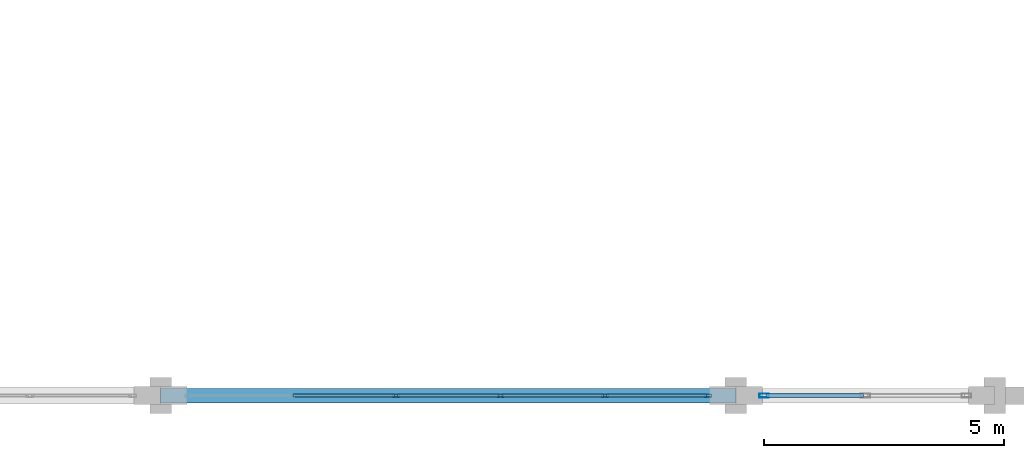
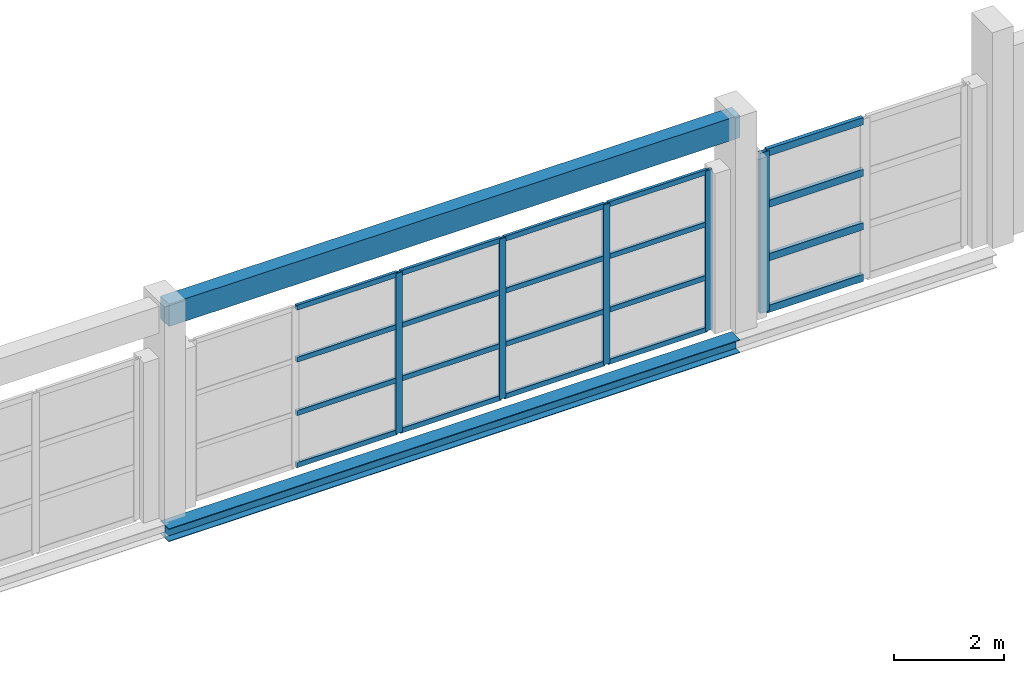
# One storey, part 73 of 147: 25 members, 2 beams, 2 elements without a shape of their own.
"""IFC4 building model written with IfcOpenShell, lengths in metres."""

from ifc_helpers import new_model, si_unit, direction, frame, origin, origin_2d, place, context, subcontext, project, spatial, rectangle, hollow_rectangle, i_section, extrude, material, layer, layer_set, material_profile, profile_set, type_object, element, aggregate, save


model = new_model("IFC4")

# Units and contexts
model_context = context("Model", 3, precision=1e-05, world=origin(), true_north=direction((0.0, 1.0)))
body_context = subcontext(model_context, "Body", "Model", "MODEL_VIEW")
ifc_project = project(units=[si_unit("LENGTHUNIT", "METRE"), si_unit("AREAUNIT", "SQUARE_METRE"), si_unit("VOLUMEUNIT", "CUBIC_METRE"), si_unit("PLANEANGLEUNIT", "RADIAN"), si_unit("MASSUNIT", "GRAM", prefix="KILO")], contexts=[model_context])

# Site, building, storey
site_placement = place(None, origin())
site = spatial("IfcSite", under=ifc_project, at=site_placement, CompositionType="ELEMENT")
building_placement = place(site_placement, origin())
building = spatial("IfcBuilding", under=site, at=building_placement, Name="Zilviju Railside Exhibition Hall", CompositionType="ELEMENT")
storey_placement = place(building_placement, frame((0.0, 0.0, 8.39990234375)))
storey = spatial("IfcBuildingStorey", under=building, at=storey_placement, Name="L03", CompositionType="ELEMENT", Elevation=8.39990234375)

# Beams
ifc_material_1 = material(Name="Steel S355J2", Category="steel")
ifc_material_profile_1 = material_profile(ifc_material_1, i_section(OverallWidth=0.300048828125, OverallDepth=0.2900390625, WebThickness=0.008544921875, FlangeThickness=0.013916015625, at=origin_2d()), Name="HEA 300")
ifc_profile_set_1 = profile_set([ifc_material_profile_1], Name="Steel S355J2")
beam_type_1 = type_object("IfcBeamType", Name="BM-HEA300", PredefinedType="SPANDREL", material=ifc_profile_set_1)
beam_1_placement = place(storey_placement, frame((156.0, 0.0, -0.48486328125), z_axis=(1.0, 0.0, 0.0), x_axis=(0.0, 1.0, 0.0)))
element("IfcBeam", 1, at=beam_1_placement, inside=storey, type_object=beam_type_1, Name="Primary Girder L03 Y=0.0 (156.0..168.0)", PredefinedType="SPANDREL", context=body_context, shape_type="SweptSolid", body=[
    extrude(i_section(OverallWidth=0.300048828125, OverallDepth=0.2900390625, WebThickness=0.008544921875, FlangeThickness=0.013916015625, at=origin_2d()), origin(), (0.0, 0.0, 1.0), 12.0),
])
ifc_material_2 = material(Name="Concrete C35/45", Category="concrete")
ifc_material_profile_2 = material_profile(ifc_material_2, rectangle(XDim=0.300048828125, YDim=0.5, at=origin_2d()), Name="RC BEAM 300x500")
ifc_profile_set_2 = profile_set([ifc_material_profile_2], Name="Concrete C35/45")
beam_type_2 = type_object("IfcBeamType", Name="BM-RC-300x500", PredefinedType="LINTEL", material=ifc_profile_set_2)
beam_2_placement = place(storey_placement, frame((156.0, 0.0, 4.400146484375), z_axis=(1.0, 0.0, 0.0), x_axis=(0.0, 1.0, 0.0)))
element("IfcBeam", 2, at=beam_2_placement, inside=storey, type_object=beam_type_2, Name="Eave & Portal Spandrel Lintel 008", PredefinedType="LINTEL", context=body_context, shape_type="SweptSolid", body=[
    extrude(rectangle(XDim=0.300048828125, YDim=0.5, at=origin_2d()), origin(), (0.0, 0.0, 1.0), 12.0),
])

# Curtain wall, members
ifc_material_3 = material(Name="Thermally broken aluminium-steel triple-glazed curtain wall", Category="steel")
ifc_layer_1 = layer(ifc_material_3, 0.179931640625)
ifc_layer_set_1 = layer_set([ifc_layer_1], Name="Thermally broken aluminium-steel triple-glazed curtain wall")
curtain_wall_type_1 = type_object("IfcCurtainWallType", Name="CW-BAY-19", PredefinedType="USERDEFINED", material=ifc_layer_set_1)
curtain_wall_1_placement = place(storey_placement, origin())
curtain_wall_1 = element("IfcCurtainWall", 3, at=curtain_wall_1_placement, inside=storey, type_object=curtain_wall_type_1, Name="South Hall Facade Curtain Wall L03 (156..168)", ObjectType="GLAZED CURTAIN WALL", PredefinedType="USERDEFINED")
ifc_material_4 = material(Name="Thermally broken anodized aluminium mullion", Category="aluminium")
ifc_material_profile_3 = material_profile(ifc_material_4, hollow_rectangle(XDim=0.06005859375, YDim=0.139892578125, WallThickness=0.0048828125, at=origin_2d()), Name="MULLION 140x60x5")
ifc_profile_set_3 = profile_set([ifc_material_profile_3], Name="Thermally broken anodized aluminium mullion")
member_type_1 = type_object("IfcMemberType", Name="CWM-60x140", PredefinedType="MULLION", material=ifc_profile_set_3)
member_1_placement = place(storey_placement, frame((167.419921875, 0.0, 0.0), z_axis=(0.0, 0.0, 1.0), x_axis=(0.0, -1.0, 0.0)))
member_1 = element("IfcMember", 4, at=member_1_placement, type_object=member_type_1, Name="CW-19 mullion 1", PredefinedType="MULLION", context=body_context, shape_type="SweptSolid", body=[
    extrude(hollow_rectangle(XDim=0.06005859375, YDim=0.139892578125, WallThickness=0.0048828125, at=origin_2d()), origin(), (0.0, 0.0, 1.0), 3.56005859375),
])
member_2_placement = place(storey_placement, frame((165.27001953125, 0.0, 0.0), z_axis=(0.0, 0.0, 1.0), x_axis=(0.0, -1.0, 0.0)))
member_2 = element("IfcMember", 5, at=member_2_placement, type_object=member_type_1, Name="CW-19 mullion 2", PredefinedType="MULLION", context=body_context, shape_type="SweptSolid", body=[
    extrude(hollow_rectangle(XDim=0.06005859375, YDim=0.139892578125, WallThickness=0.0048828125, at=origin_2d()), origin(), (0.0, 0.0, 1.0), 3.56005859375),
])
member_3_placement = place(storey_placement, frame((163.090087890625, 0.0, 0.0), z_axis=(0.0, 0.0, 1.0), x_axis=(0.0, -1.0, 0.0)))
member_3 = element("IfcMember", 6, at=member_3_placement, type_object=member_type_1, Name="CW-19 mullion 3", PredefinedType="MULLION", context=body_context, shape_type="SweptSolid", body=[
    extrude(hollow_rectangle(XDim=0.06005859375, YDim=0.139892578125, WallThickness=0.0048828125, at=origin_2d()), origin(), (0.0, 0.0, 1.0), 3.56005859375),
])
member_4_placement = place(storey_placement, frame((160.909912109375, 0.0, 0.0), z_axis=(0.0, 0.0, 1.0), x_axis=(0.0, -1.0, 0.0)))
member_4 = element("IfcMember", 7, at=member_4_placement, type_object=member_type_1, Name="CW-19 mullion 4", PredefinedType="MULLION", context=body_context, shape_type="SweptSolid", body=[
    extrude(hollow_rectangle(XDim=0.06005859375, YDim=0.139892578125, WallThickness=0.0048828125, at=origin_2d()), origin(), (0.0, 0.0, 1.0), 3.56005859375),
])

# Curtain wall, member
ifc_layer_2 = layer(ifc_material_3, 0.179931640625)
ifc_layer_set_2 = layer_set([ifc_layer_2], Name="Thermally broken aluminium-steel triple-glazed curtain wall")
curtain_wall_type_2 = type_object("IfcCurtainWallType", Name="CW-BAY-20", PredefinedType="USERDEFINED", material=ifc_layer_set_2)
curtain_wall_2_placement = place(storey_placement, origin())
curtain_wall_2 = element("IfcCurtainWall", 8, at=curtain_wall_2_placement, inside=storey, type_object=curtain_wall_type_2, Name="South Hall Facade Curtain Wall L03 (168..173)", ObjectType="GLAZED CURTAIN WALL", PredefinedType="USERDEFINED")
ifc_material_profile_4 = material_profile(ifc_material_4, hollow_rectangle(XDim=0.080078125, YDim=0.199951171875, WallThickness=0.0048828125, at=origin_2d()), Name="MULLION 200x80x5")
ifc_profile_set_4 = profile_set([ifc_material_profile_4], Name="Thermally broken anodized aluminium mullion")
member_type_2 = type_object("IfcMemberType", Name="CWM-80x200", PredefinedType="MULLION", material=ifc_profile_set_4)
member_5_placement = place(storey_placement, frame((168.590087890625, 0.0, 0.0), z_axis=(0.0, 0.0, 1.0), x_axis=(0.0, -1.0, 0.0)))
member_5 = element("IfcMember", 9, at=member_5_placement, type_object=member_type_2, Name="CW-20 mullion 3", PredefinedType="MULLION", context=body_context, shape_type="SweptSolid", body=[
    extrude(hollow_rectangle(XDim=0.080078125, YDim=0.199951171875, WallThickness=0.0048828125, at=origin_2d()), origin(), (0.0, 0.0, 1.0), 3.56005859375),
])

# Member
ifc_material_5 = material(Name="Thermally broken anodized aluminium transom", Category="aluminium")
ifc_material_profile_5 = material_profile(ifc_material_5, hollow_rectangle(XDim=0.06005859375, YDim=0.110107421875, WallThickness=0.0048828125, at=origin_2d()), Name="TRANSOM 110x60x5")
ifc_profile_set_5 = profile_set([ifc_material_profile_5], Name="Thermally broken anodized aluminium transom")
member_type_3 = type_object("IfcMemberType", Name="CWT-60x110", PredefinedType="USERDEFINED", material=ifc_profile_set_5)
member_6_placement = place(storey_placement, frame((167.389892578125, 0.0, 0.030029296875), z_axis=(-1.0, 0.0, 0.0), x_axis=(0.0, -1.0, 0.0)))
member_6 = element("IfcMember", 10, at=member_6_placement, type_object=member_type_3, Name="CW-19 transom 1.1", ObjectType="TRANSOM", PredefinedType="USERDEFINED", context=body_context, shape_type="SweptSolid", body=[
    extrude(hollow_rectangle(XDim=0.06005859375, YDim=0.110107421875, WallThickness=0.0048828125, at=origin_2d()), origin(), (0.0, 0.0, 1.0), 2.08984375),
])

member_7_placement = place(storey_placement, frame((167.389892578125, 0.0, 1.18701171875), z_axis=(-1.0, 0.0, 0.0), x_axis=(0.0, -1.0, 0.0)))
member_7 = element("IfcMember", 11, at=member_7_placement, type_object=member_type_3, Name="CW-19 transom 1.2", ObjectType="TRANSOM", PredefinedType="USERDEFINED", context=body_context, shape_type="SweptSolid", body=[
    extrude(hollow_rectangle(XDim=0.06005859375, YDim=0.110107421875, WallThickness=0.0048828125, at=origin_2d()), origin(), (0.0, 0.0, 1.0), 2.08984375),
])

member_8_placement = place(storey_placement, frame((167.389892578125, 0.0, 2.373046875), z_axis=(-1.0, 0.0, 0.0), x_axis=(0.0, -1.0, 0.0)))
member_8 = element("IfcMember", 12, at=member_8_placement, type_object=member_type_3, Name="CW-19 transom 1.3", ObjectType="TRANSOM", PredefinedType="USERDEFINED", context=body_context, shape_type="SweptSolid", body=[
    extrude(hollow_rectangle(XDim=0.06005859375, YDim=0.110107421875, WallThickness=0.0048828125, at=origin_2d()), origin(), (0.0, 0.0, 1.0), 2.08984375),
])

member_9_placement = place(storey_placement, frame((167.389892578125, 0.0, 3.530029296875), z_axis=(-1.0, 0.0, 0.0), x_axis=(0.0, -1.0, 0.0)))
member_9 = element("IfcMember", 13, at=member_9_placement, type_object=member_type_3, Name="CW-19 transom 1.4", ObjectType="TRANSOM", PredefinedType="USERDEFINED", context=body_context, shape_type="SweptSolid", body=[
    extrude(hollow_rectangle(XDim=0.06005859375, YDim=0.110107421875, WallThickness=0.0048828125, at=origin_2d()), origin(), (0.0, 0.0, 1.0), 2.08984375),
])

member_10_placement = place(storey_placement, frame((165.239990234375, 0.0, 0.030029296875), z_axis=(-1.0, 0.0, 0.0), x_axis=(0.0, -1.0, 0.0)))
member_10 = element("IfcMember", 14, at=member_10_placement, type_object=member_type_3, Name="CW-19 transom 2.1", ObjectType="TRANSOM", PredefinedType="USERDEFINED", context=body_context, shape_type="SweptSolid", body=[
    extrude(hollow_rectangle(XDim=0.06005859375, YDim=0.110107421875, WallThickness=0.0048828125, at=origin_2d()), origin(), (0.0, 0.0, 1.0), 2.119873046875),
])

member_11_placement = place(storey_placement, frame((165.239990234375, 0.0, 1.18701171875), z_axis=(-1.0, 0.0, 0.0), x_axis=(0.0, -1.0, 0.0)))
member_11 = element("IfcMember", 15, at=member_11_placement, type_object=member_type_3, Name="CW-19 transom 2.2", ObjectType="TRANSOM", PredefinedType="USERDEFINED", context=body_context, shape_type="SweptSolid", body=[
    extrude(hollow_rectangle(XDim=0.06005859375, YDim=0.110107421875, WallThickness=0.0048828125, at=origin_2d()), origin(), (0.0, 0.0, 1.0), 2.119873046875),
])

member_12_placement = place(storey_placement, frame((165.239990234375, 0.0, 2.373046875), z_axis=(-1.0, 0.0, 0.0), x_axis=(0.0, -1.0, 0.0)))
member_12 = element("IfcMember", 16, at=member_12_placement, type_object=member_type_3, Name="CW-19 transom 2.3", ObjectType="TRANSOM", PredefinedType="USERDEFINED", context=body_context, shape_type="SweptSolid", body=[
    extrude(hollow_rectangle(XDim=0.06005859375, YDim=0.110107421875, WallThickness=0.0048828125, at=origin_2d()), origin(), (0.0, 0.0, 1.0), 2.119873046875),
])

member_13_placement = place(storey_placement, frame((165.239990234375, 0.0, 3.530029296875), z_axis=(-1.0, 0.0, 0.0), x_axis=(0.0, -1.0, 0.0)))
member_13 = element("IfcMember", 17, at=member_13_placement, type_object=member_type_3, Name="CW-19 transom 2.4", ObjectType="TRANSOM", PredefinedType="USERDEFINED", context=body_context, shape_type="SweptSolid", body=[
    extrude(hollow_rectangle(XDim=0.06005859375, YDim=0.110107421875, WallThickness=0.0048828125, at=origin_2d()), origin(), (0.0, 0.0, 1.0), 2.119873046875),
])

member_14_placement = place(storey_placement, frame((163.06005859375, 0.0, 0.030029296875), z_axis=(-1.0, 0.0, 0.0), x_axis=(0.0, -1.0, 0.0)))
member_14 = element("IfcMember", 18, at=member_14_placement, type_object=member_type_3, Name="CW-19 transom 3.1", ObjectType="TRANSOM", PredefinedType="USERDEFINED", context=body_context, shape_type="SweptSolid", body=[
    extrude(hollow_rectangle(XDim=0.06005859375, YDim=0.110107421875, WallThickness=0.0048828125, at=origin_2d()), origin(), (0.0, 0.0, 1.0), 2.1201171875),
])

member_15_placement = place(storey_placement, frame((163.06005859375, 0.0, 1.18701171875), z_axis=(-1.0, 0.0, 0.0), x_axis=(0.0, -1.0, 0.0)))
member_15 = element("IfcMember", 19, at=member_15_placement, type_object=member_type_3, Name="CW-19 transom 3.2", ObjectType="TRANSOM", PredefinedType="USERDEFINED", context=body_context, shape_type="SweptSolid", body=[
    extrude(hollow_rectangle(XDim=0.06005859375, YDim=0.110107421875, WallThickness=0.0048828125, at=origin_2d()), origin(), (0.0, 0.0, 1.0), 2.1201171875),
])

member_16_placement = place(storey_placement, frame((163.06005859375, 0.0, 2.373046875), z_axis=(-1.0, 0.0, 0.0), x_axis=(0.0, -1.0, 0.0)))
member_16 = element("IfcMember", 20, at=member_16_placement, type_object=member_type_3, Name="CW-19 transom 3.3", ObjectType="TRANSOM", PredefinedType="USERDEFINED", context=body_context, shape_type="SweptSolid", body=[
    extrude(hollow_rectangle(XDim=0.06005859375, YDim=0.110107421875, WallThickness=0.0048828125, at=origin_2d()), origin(), (0.0, 0.0, 1.0), 2.1201171875),
])

member_17_placement = place(storey_placement, frame((163.06005859375, 0.0, 3.530029296875), z_axis=(-1.0, 0.0, 0.0), x_axis=(0.0, -1.0, 0.0)))
member_17 = element("IfcMember", 21, at=member_17_placement, type_object=member_type_3, Name="CW-19 transom 3.4", ObjectType="TRANSOM", PredefinedType="USERDEFINED", context=body_context, shape_type="SweptSolid", body=[
    extrude(hollow_rectangle(XDim=0.06005859375, YDim=0.110107421875, WallThickness=0.0048828125, at=origin_2d()), origin(), (0.0, 0.0, 1.0), 2.1201171875),
])

member_18_placement = place(storey_placement, frame((160.8798828125, 0.0, 0.030029296875), z_axis=(-1.0, 0.0, 0.0), x_axis=(0.0, -1.0, 0.0)))
member_18 = element("IfcMember", 22, at=member_18_placement, type_object=member_type_3, Name="CW-19 transom 4.1", ObjectType="TRANSOM", PredefinedType="USERDEFINED", context=body_context, shape_type="SweptSolid", body=[
    extrude(hollow_rectangle(XDim=0.06005859375, YDim=0.110107421875, WallThickness=0.0048828125, at=origin_2d()), origin(), (0.0, 0.0, 1.0), 2.119873046875),
])

member_19_placement = place(storey_placement, frame((160.8798828125, 0.0, 1.18701171875), z_axis=(-1.0, 0.0, 0.0), x_axis=(0.0, -1.0, 0.0)))
member_19 = element("IfcMember", 23, at=member_19_placement, type_object=member_type_3, Name="CW-19 transom 4.2", ObjectType="TRANSOM", PredefinedType="USERDEFINED", context=body_context, shape_type="SweptSolid", body=[
    extrude(hollow_rectangle(XDim=0.06005859375, YDim=0.110107421875, WallThickness=0.0048828125, at=origin_2d()), origin(), (0.0, 0.0, 1.0), 2.119873046875),
])

member_20_placement = place(storey_placement, frame((160.8798828125, 0.0, 2.373046875), z_axis=(-1.0, 0.0, 0.0), x_axis=(0.0, -1.0, 0.0)))
member_20 = element("IfcMember", 24, at=member_20_placement, type_object=member_type_3, Name="CW-19 transom 4.3", ObjectType="TRANSOM", PredefinedType="USERDEFINED", context=body_context, shape_type="SweptSolid", body=[
    extrude(hollow_rectangle(XDim=0.06005859375, YDim=0.110107421875, WallThickness=0.0048828125, at=origin_2d()), origin(), (0.0, 0.0, 1.0), 2.119873046875),
])

member_21_placement = place(storey_placement, frame((160.8798828125, 0.0, 3.530029296875), z_axis=(-1.0, 0.0, 0.0), x_axis=(0.0, -1.0, 0.0)))
member_21 = element("IfcMember", 25, at=member_21_placement, type_object=member_type_3, Name="CW-19 transom 4.4", ObjectType="TRANSOM", PredefinedType="USERDEFINED", context=body_context, shape_type="SweptSolid", body=[
    extrude(hollow_rectangle(XDim=0.06005859375, YDim=0.110107421875, WallThickness=0.0048828125, at=origin_2d()), origin(), (0.0, 0.0, 1.0), 2.119873046875),
])

aggregate(curtain_wall_1, [member_1, member_2, member_3, member_4, member_6, member_7, member_8, member_9, member_10, member_11, member_12, member_13, member_14, member_15, member_16, member_17, member_18, member_19, member_20, member_21])

ifc_material_profile_6 = material_profile(ifc_material_5, hollow_rectangle(XDim=0.080078125, YDim=0.159912109375, WallThickness=0.0048828125, at=origin_2d()), Name="TRANSOM 160x80x5")
ifc_profile_set_6 = profile_set([ifc_material_profile_6], Name="Thermally broken anodized aluminium transom")
member_type_4 = type_object("IfcMemberType", Name="CWT-80x160", PredefinedType="USERDEFINED", material=ifc_profile_set_6)
member_22_placement = place(storey_placement, frame((170.659912109375, 0.0, 0.0400390625), z_axis=(-1.0, 0.0, 0.0), x_axis=(0.0, -1.0, 0.0)))
member_22 = element("IfcMember", 26, at=member_22_placement, type_object=member_type_4, Name="CW-20 transom 2.1", ObjectType="TRANSOM", PredefinedType="USERDEFINED", context=body_context, shape_type="SweptSolid", body=[
    extrude(hollow_rectangle(XDim=0.080078125, YDim=0.159912109375, WallThickness=0.0048828125, at=origin_2d()), origin(), (0.0, 0.0, 1.0), 2.030029296875),
])

member_23_placement = place(storey_placement, frame((170.659912109375, 0.0, 1.18701171875), z_axis=(-1.0, 0.0, 0.0), x_axis=(0.0, -1.0, 0.0)))
member_23 = element("IfcMember", 27, at=member_23_placement, type_object=member_type_4, Name="CW-20 transom 2.2", ObjectType="TRANSOM", PredefinedType="USERDEFINED", context=body_context, shape_type="SweptSolid", body=[
    extrude(hollow_rectangle(XDim=0.080078125, YDim=0.159912109375, WallThickness=0.0048828125, at=origin_2d()), origin(), (0.0, 0.0, 1.0), 2.030029296875),
])

member_24_placement = place(storey_placement, frame((170.659912109375, 0.0, 2.373046875), z_axis=(-1.0, 0.0, 0.0), x_axis=(0.0, -1.0, 0.0)))
member_24 = element("IfcMember", 28, at=member_24_placement, type_object=member_type_4, Name="CW-20 transom 2.3", ObjectType="TRANSOM", PredefinedType="USERDEFINED", context=body_context, shape_type="SweptSolid", body=[
    extrude(hollow_rectangle(XDim=0.080078125, YDim=0.159912109375, WallThickness=0.0048828125, at=origin_2d()), origin(), (0.0, 0.0, 1.0), 2.030029296875),
])

member_25_placement = place(storey_placement, frame((170.659912109375, 0.0, 3.52001953125), z_axis=(-1.0, 0.0, 0.0), x_axis=(0.0, -1.0, 0.0)))
member_25 = element("IfcMember", 29, at=member_25_placement, type_object=member_type_4, Name="CW-20 transom 2.4", ObjectType="TRANSOM", PredefinedType="USERDEFINED", context=body_context, shape_type="SweptSolid", body=[
    extrude(hollow_rectangle(XDim=0.080078125, YDim=0.159912109375, WallThickness=0.0048828125, at=origin_2d()), origin(), (0.0, 0.0, 1.0), 2.030029296875),
])

aggregate(curtain_wall_2, [member_5, member_22, member_23, member_24, member_25])

save(model, "model.ifc")
